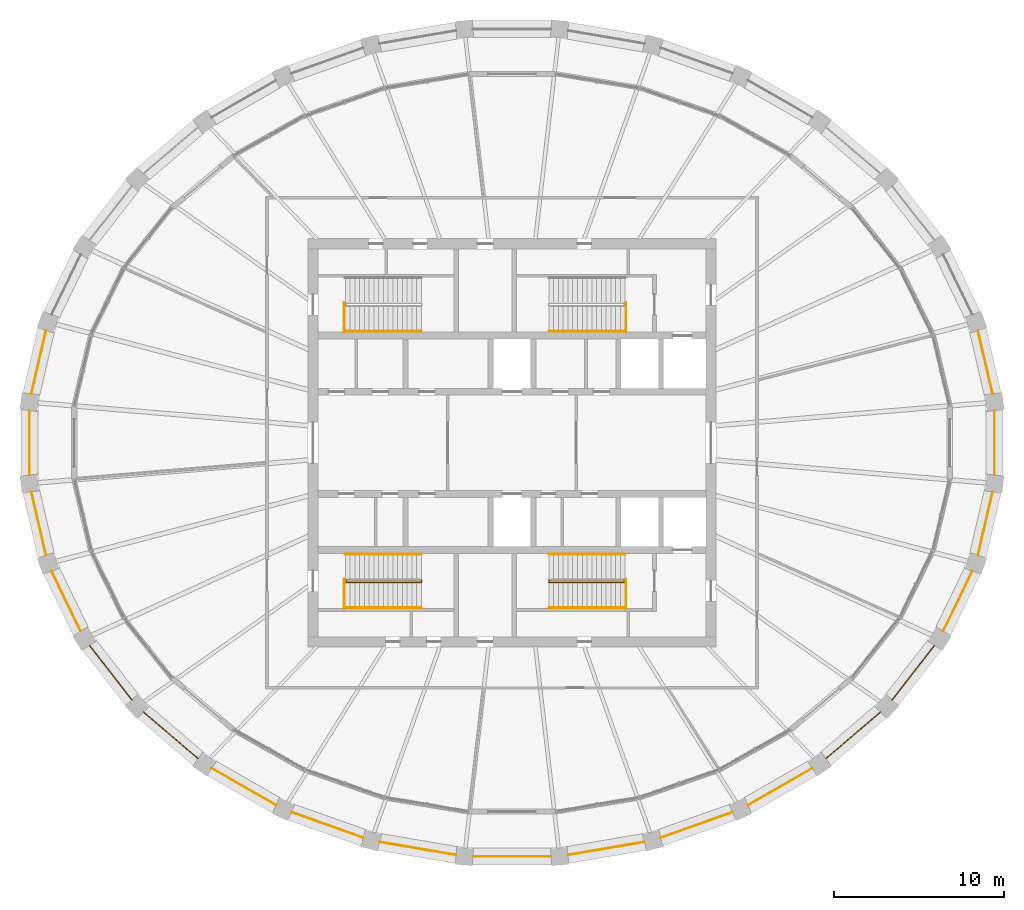
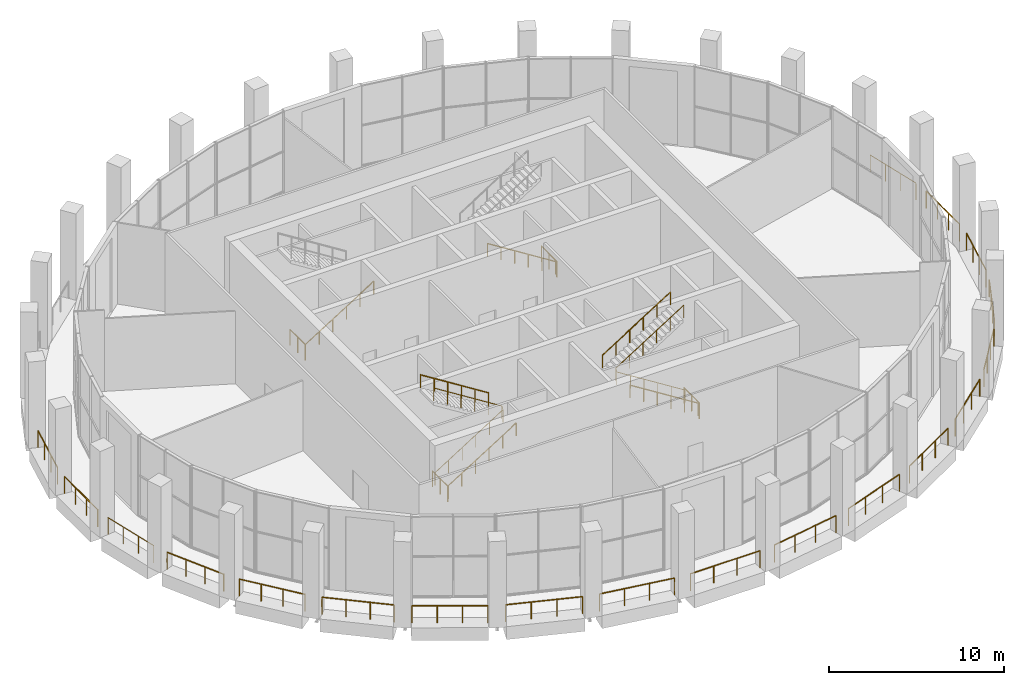
# One storey, part 14 of 15: 31 railings.
"""IFC4 building model written with IfcOpenShell, lengths in metres."""

from ifc_helpers import new_model, si_unit, direction, frame, origin, origin_2d, place, context, subcontext, project, spatial, circle, extrude, material, type_object, element, save


model = new_model("IFC4")

# Units and contexts
model_context = context("Model", 3, precision=1e-05, world=origin(), true_north=direction((0.0, 1.0)))
body_context = subcontext(model_context, "Body", "Model", "MODEL_VIEW")
ifc_project = project(units=[si_unit("LENGTHUNIT", "METRE"), si_unit("AREAUNIT", "SQUARE_METRE"), si_unit("VOLUMEUNIT", "CUBIC_METRE"), si_unit("PLANEANGLEUNIT", "RADIAN"), si_unit("MASSUNIT", "GRAM", prefix="KILO")], contexts=[model_context])

# Site, building, storey
site_placement = place(None, origin())
site = spatial("IfcSite", under=ifc_project, at=site_placement, CompositionType="ELEMENT")
building_placement = place(site_placement, origin())
building = spatial("IfcBuilding", under=site, at=building_placement, Name="Halqa Exchange Tower", CompositionType="ELEMENT")
storey_placement = place(building_placement, frame((0.0, 0.0, 343.300048828125)))
storey = spatial("IfcBuildingStorey", under=building, at=storey_placement, Name="L80", CompositionType="ELEMENT", Elevation=343.300048828125)

# Railings
ifc_material_1 = material(Name="Laminated glass and stainless steel", Category="steel")
railing_type_1 = type_object("IfcRailingType", Name="Public deck guard 1200 laminated glass", PredefinedType="GUARDRAIL", material=ifc_material_1)
railing_1_placement = place(storey_placement, frame((28.249755859375, 2.881591796875, 0.0)))
element("IfcRailing", 1, at=railing_1_placement, inside=storey, type_object=railing_type_1, Name="Public deck guard 1", PredefinedType="GUARDRAIL", context=body_context, shape_type="SweptSolid", body=[
    extrude(circle(Radius=0.02392578125, at=origin_2d()), frame((0.0, 0.0, 1.17578125), z_axis=(-0.226100478953, 0.97410398491, 0.0), x_axis=(-0.97410398491, -0.226100478953, 0.0)), (0.0, 0.0, 1.0), 3.8212890625),
    extrude(circle(Radius=0.02099609375, at=origin_2d()), origin(), (0.0, 0.0, 1.0), 1.15185546875),
    extrude(circle(Radius=0.02099609375, at=origin_2d()), frame((-0.2880859375, 1.24072265625, 0.0)), (0.0, 0.0, 1.0), 1.15185546875),
    extrude(circle(Radius=0.02099609375, at=origin_2d()), frame((-0.575927734375, 2.481689453125, 0.0)), (0.0, 0.0, 1.0), 1.15185546875),
    extrude(circle(Radius=0.02099609375, at=origin_2d()), frame((-0.864013671875, 3.722412109375, 0.0)), (0.0, 0.0, 1.0), 1.15185546875),
])
railing_2_placement = place(storey_placement, frame((-27.3857421875, 6.60400390625, 0.0)))
element("IfcRailing", 2, at=railing_2_placement, inside=storey, type_object=railing_type_1, Name="Public deck guard 15", PredefinedType="GUARDRAIL", context=body_context, shape_type="SweptSolid", body=[
    extrude(circle(Radius=0.02392578125, at=origin_2d()), frame((0.0, 0.0, 1.17578125), z_axis=(-0.226100478953, -0.97410398491, 0.0), x_axis=(0.97410398491, -0.226100478953, 0.0)), (0.0, 0.0, 1.0), 3.8212890625),
    extrude(circle(Radius=0.02099609375, at=origin_2d()), origin(), (0.0, 0.0, 1.0), 1.15185546875),
    extrude(circle(Radius=0.02099609375, at=origin_2d()), frame((-0.2880859375, -1.24072265625, 0.0)), (0.0, 0.0, 1.0), 1.15185546875),
    extrude(circle(Radius=0.02099609375, at=origin_2d()), frame((-0.575927734375, -2.481689453125, 0.0)), (0.0, 0.0, 1.0), 1.15185546875),
    extrude(circle(Radius=0.02099609375, at=origin_2d()), frame((-0.864013671875, -3.722412109375, 0.0)), (0.0, 0.0, 1.0), 1.15185546875),
])
railing_3_placement = place(storey_placement, frame((-28.36279296875, 1.894287109375, 0.0)))
element("IfcRailing", 3, at=railing_3_placement, inside=storey, type_object=railing_type_1, Name="Public deck guard 16", PredefinedType="GUARDRAIL", context=body_context, shape_type="SweptSolid", body=[
    extrude(circle(Radius=0.02392578125, at=origin_2d()), frame((0.0, 0.0, 1.17578125), z_axis=(0.0, -1.0, 0.0), x_axis=(1.0, 0.0, 0.0)), (0.0, 0.0, 1.0), 3.78857421875),
    extrude(circle(Radius=0.02099609375, at=origin_2d()), origin(), (0.0, 0.0, 1.0), 1.15185546875),
    extrude(circle(Radius=0.02099609375, at=origin_2d()), frame((0.0, -1.262939453125, 0.0)), (0.0, 0.0, 1.0), 1.15185546875),
    extrude(circle(Radius=0.02099609375, at=origin_2d()), frame((0.0, -2.525634765625, 0.0)), (0.0, 0.0, 1.0), 1.15185546875),
    extrude(circle(Radius=0.02099609375, at=origin_2d()), frame((0.0, -3.78857421875, 0.0)), (0.0, 0.0, 1.0), 1.15185546875),
])
railing_4_placement = place(storey_placement, frame((-28.249755859375, -2.881591796875, 0.0)))
element("IfcRailing", 4, at=railing_4_placement, inside=storey, type_object=railing_type_1, Name="Public deck guard 17", PredefinedType="GUARDRAIL", context=body_context, shape_type="SweptSolid", body=[
    extrude(circle(Radius=0.02392578125, at=origin_2d()), frame((0.0, 0.0, 1.17578125), z_axis=(0.226100478953, -0.97410398491, 0.0), x_axis=(0.97410398491, 0.226100478953, 0.0)), (0.0, 0.0, 1.0), 3.8212890625),
    extrude(circle(Radius=0.02099609375, at=origin_2d()), origin(), (0.0, 0.0, 1.0), 1.15185546875),
    extrude(circle(Radius=0.02099609375, at=origin_2d()), frame((0.2880859375, -1.24072265625, 0.0)), (0.0, 0.0, 1.0), 1.15185546875),
    extrude(circle(Radius=0.02099609375, at=origin_2d()), frame((0.575927734375, -2.481689453125, 0.0)), (0.0, 0.0, 1.0), 1.15185546875),
    extrude(circle(Radius=0.02099609375, at=origin_2d()), frame((0.864013671875, -3.722412109375, 0.0)), (0.0, 0.0, 1.0), 1.15185546875),
])
railing_5_placement = place(storey_placement, frame((-27.055419921875, -7.54150390625, 0.0)))
element("IfcRailing", 5, at=railing_5_placement, inside=storey, type_object=railing_type_1, Name="Public deck guard 18", PredefinedType="GUARDRAIL", context=body_context, shape_type="SweptSolid", body=[
    extrude(circle(Radius=0.02392578125, at=origin_2d()), frame((0.0, 0.0, 1.17578125), z_axis=(0.435146748862, -0.900359543158, 0.0), x_axis=(0.900359543158, 0.435146748862, 0.0)), (0.0, 0.0, 1.0), 3.913818359375),
    extrude(circle(Radius=0.02099609375, at=origin_2d()), origin(), (0.0, 0.0, 1.0), 1.15185546875),
    extrude(circle(Radius=0.02099609375, at=origin_2d()), frame((0.567626953125, -1.174560546875, 0.0)), (0.0, 0.0, 1.0), 1.15185546875),
    extrude(circle(Radius=0.02099609375, at=origin_2d()), frame((1.135498046875, -2.349365234375, 0.0)), (0.0, 0.0, 1.0), 1.15185546875),
    extrude(circle(Radius=0.02099609375, at=origin_2d()), frame((1.703125, -3.52392578125, 0.0)), (0.0, 0.0, 1.0), 1.15185546875),
])
railing_6_placement = place(storey_placement, frame((-24.827392578125, -11.909912109375, 0.0)))
element("IfcRailing", 6, at=railing_6_placement, inside=storey, type_object=railing_type_1, Name="Public deck guard 19", PredefinedType="GUARDRAIL", context=body_context, shape_type="SweptSolid", body=[
    extrude(circle(Radius=0.02392578125, at=origin_2d()), frame((0.0, 0.0, 1.17578125), z_axis=(0.614821078368, -0.788666622594, 0.0), x_axis=(0.788666622594, 0.614821078368, 0.0)), (0.0, 0.0, 1.0), 4.048828125),
    extrude(circle(Radius=0.02099609375, at=origin_2d()), origin(), (0.0, 0.0, 1.0), 1.15185546875),
    extrude(circle(Radius=0.02099609375, at=origin_2d()), frame((0.829833984375, -1.064453125, 0.0)), (0.0, 0.0, 1.0), 1.15185546875),
    extrude(circle(Radius=0.02099609375, at=origin_2d()), frame((1.659423828125, -2.128662109375, 0.0)), (0.0, 0.0, 1.0), 1.15185546875),
    extrude(circle(Radius=0.02099609375, at=origin_2d()), frame((2.4892578125, -3.193115234375, 0.0)), (0.0, 0.0, 1.0), 1.15185546875),
])
railing_7_placement = place(storey_placement, frame((-21.651123046875, -15.82275390625, 0.0)))
element("IfcRailing", 7, at=railing_7_placement, inside=storey, type_object=railing_type_1, Name="Public deck guard 20", PredefinedType="GUARDRAIL", context=body_context, shape_type="SweptSolid", body=[
    extrude(circle(Radius=0.02392578125, at=origin_2d()), frame((0.0, 0.0, 1.17578125), z_axis=(0.75927300229, -0.650772239723, 0.0), x_axis=(0.650772239723, 0.75927300229, 0.0)), (0.0, 0.0, 1.0), 4.203125),
    extrude(circle(Radius=0.02099609375, at=origin_2d()), origin(), (0.0, 0.0, 1.0), 1.15185546875),
    extrude(circle(Radius=0.02099609375, at=origin_2d()), frame((1.063720703125, -0.911865234375, 0.0)), (0.0, 0.0, 1.0), 1.15185546875),
    extrude(circle(Radius=0.02099609375, at=origin_2d()), frame((2.127685546875, -1.823486328125, 0.0)), (0.0, 0.0, 1.0), 1.15185546875),
    extrude(circle(Radius=0.02099609375, at=origin_2d()), frame((3.19140625, -2.7353515625, 0.0)), (0.0, 0.0, 1.0), 1.15185546875),
])
railing_8_placement = place(storey_placement, frame((-17.646240234375, -19.132080078125, 0.0)))
element("IfcRailing", 8, at=railing_8_placement, inside=storey, type_object=railing_type_1, Name="Public deck guard 21", PredefinedType="GUARDRAIL", context=body_context, shape_type="SweptSolid", body=[
    extrude(circle(Radius=0.02392578125, at=origin_2d()), frame((0.0, 0.0, 1.17578125), z_axis=(0.867752650497, -0.496996315434, 0.0), x_axis=(0.496996315434, 0.867752650497, 0.0)), (0.0, 0.0, 1.0), 4.353271484375),
    extrude(circle(Radius=0.02099609375, at=origin_2d()), origin(), (0.0, 0.0, 1.0), 1.15185546875),
    extrude(circle(Radius=0.02099609375, at=origin_2d()), frame((1.25927734375, -0.72119140625, 0.0)), (0.0, 0.0, 1.0), 1.15185546875),
    extrude(circle(Radius=0.02099609375, at=origin_2d()), frame((2.518310546875, -1.4423828125, 0.0)), (0.0, 0.0, 1.0), 1.15185546875),
    extrude(circle(Radius=0.02099609375, at=origin_2d()), frame((3.777587890625, -2.16357421875, 0.0)), (0.0, 0.0, 1.0), 1.15185546875),
])
railing_9_placement = place(storey_placement, frame((-12.963623046875, -21.71142578125, 0.0)))
element("IfcRailing", 9, at=railing_9_placement, inside=storey, type_object=railing_type_1, Name="Public deck guard 22", PredefinedType="GUARDRAIL", context=body_context, shape_type="SweptSolid", body=[
    extrude(circle(Radius=0.02392578125, at=origin_2d()), frame((0.0, 0.0, 1.17578125), z_axis=(0.942364531835, -0.334587939321, 0.0), x_axis=(0.334587939321, 0.942364531835, 0.0)), (0.0, 0.0, 1.0), 4.477294921875),
    extrude(circle(Radius=0.02099609375, at=origin_2d()), origin(), (0.0, 0.0, 1.0), 1.15185546875),
    extrude(circle(Radius=0.02099609375, at=origin_2d()), frame((1.406494140625, -0.499267578125, 0.0)), (0.0, 0.0, 1.0), 1.15185546875),
    extrude(circle(Radius=0.02099609375, at=origin_2d()), frame((2.812744140625, -0.998779296875, 0.0)), (0.0, 0.0, 1.0), 1.15185546875),
    extrude(circle(Radius=0.02099609375, at=origin_2d()), frame((4.21923828125, -1.498046875, 0.0)), (0.0, 0.0, 1.0), 1.15185546875),
])
railing_10_placement = place(storey_placement, frame((-7.7802734375, -23.460693359375, 0.0)))
element("IfcRailing", 10, at=railing_10_placement, inside=storey, type_object=railing_type_1, Name="Public deck guard 23", PredefinedType="GUARDRAIL", context=body_context, shape_type="SweptSolid", body=[
    extrude(circle(Radius=0.02392578125, at=origin_2d()), frame((0.0, 0.0, 1.17578125), z_axis=(0.985768911013, -0.168106079843, 0.0), x_axis=(0.168106079843, 0.985768911013, 0.0)), (0.0, 0.0, 1.0), 4.558837890625),
    extrude(circle(Radius=0.02099609375, at=origin_2d()), origin(), (0.0, 0.0, 1.0), 1.15185546875),
    extrude(circle(Radius=0.02099609375, at=origin_2d()), frame((1.498046875, -0.25537109375, 0.0)), (0.0, 0.0, 1.0), 1.15185546875),
    extrude(circle(Radius=0.02099609375, at=origin_2d()), frame((2.995849609375, -0.510986328125, 0.0)), (0.0, 0.0, 1.0), 1.15185546875),
    extrude(circle(Radius=0.02099609375, at=origin_2d()), frame((4.493896484375, -0.766357421875, 0.0)), (0.0, 0.0, 1.0), 1.15185546875),
])
railing_11_placement = place(storey_placement, frame((-2.29345703125, -24.31103515625, 0.0)))
element("IfcRailing", 11, at=railing_11_placement, inside=storey, type_object=railing_type_1, Name="Public deck guard 24", PredefinedType="GUARDRAIL", context=body_context, shape_type="SweptSolid", body=[
    extrude(circle(Radius=0.02392578125, at=origin_2d()), frame((0.0, 0.0, 1.17578125), z_axis=(1.0, 0.0, 0.0), x_axis=(0.0, 1.0, 0.0)), (0.0, 0.0, 1.0), 4.5869140625),
    extrude(circle(Radius=0.02099609375, at=origin_2d()), origin(), (0.0, 0.0, 1.0), 1.15185546875),
    extrude(circle(Radius=0.02099609375, at=origin_2d()), frame((1.529052734375, 0.0, 0.0)), (0.0, 0.0, 1.0), 1.15185546875),
    extrude(circle(Radius=0.02099609375, at=origin_2d()), frame((3.057861328125, 0.0, 0.0)), (0.0, 0.0, 1.0), 1.15185546875),
    extrude(circle(Radius=0.02099609375, at=origin_2d()), frame((4.5869140625, 0.0, 0.0)), (0.0, 0.0, 1.0), 1.15185546875),
])
railing_12_placement = place(storey_placement, frame((3.286376953125, -24.22705078125, 0.0)))
element("IfcRailing", 12, at=railing_12_placement, inside=storey, type_object=railing_type_1, Name="Public deck guard 25", PredefinedType="GUARDRAIL", context=body_context, shape_type="SweptSolid", body=[
    extrude(circle(Radius=0.02392578125, at=origin_2d()), frame((0.0, 0.0, 1.17578125), z_axis=(0.985768911013, 0.168106079843, 0.0), x_axis=(-0.168106079843, 0.985768911013, 0.0)), (0.0, 0.0, 1.0), 4.558837890625),
    extrude(circle(Radius=0.02099609375, at=origin_2d()), origin(), (0.0, 0.0, 1.0), 1.15185546875),
    extrude(circle(Radius=0.02099609375, at=origin_2d()), frame((1.498046875, 0.25537109375, 0.0)), (0.0, 0.0, 1.0), 1.15185546875),
    extrude(circle(Radius=0.02099609375, at=origin_2d()), frame((2.995849609375, 0.510986328125, 0.0)), (0.0, 0.0, 1.0), 1.15185546875),
    extrude(circle(Radius=0.02099609375, at=origin_2d()), frame((4.493896484375, 0.766357421875, 0.0)), (0.0, 0.0, 1.0), 1.15185546875),
])
railing_13_placement = place(storey_placement, frame((8.744384765625, -23.20947265625, 0.0)))
element("IfcRailing", 13, at=railing_13_placement, inside=storey, type_object=railing_type_1, Name="Public deck guard 26", PredefinedType="GUARDRAIL", context=body_context, shape_type="SweptSolid", body=[
    extrude(circle(Radius=0.02392578125, at=origin_2d()), frame((0.0, 0.0, 1.17578125), z_axis=(0.942364531835, 0.334587939321, 0.0), x_axis=(-0.334587939321, 0.942364531835, 0.0)), (0.0, 0.0, 1.0), 4.477294921875),
    extrude(circle(Radius=0.02099609375, at=origin_2d()), origin(), (0.0, 0.0, 1.0), 1.15185546875),
    extrude(circle(Radius=0.02099609375, at=origin_2d()), frame((1.406494140625, 0.499267578125, 0.0)), (0.0, 0.0, 1.0), 1.15185546875),
    extrude(circle(Radius=0.02099609375, at=origin_2d()), frame((2.812744140625, 0.998779296875, 0.0)), (0.0, 0.0, 1.0), 1.15185546875),
    extrude(circle(Radius=0.02099609375, at=origin_2d()), frame((4.21923828125, 1.498046875, 0.0)), (0.0, 0.0, 1.0), 1.15185546875),
])
railing_14_placement = place(storey_placement, frame((13.86865234375, -21.295654296875, 0.0)))
element("IfcRailing", 14, at=railing_14_placement, inside=storey, type_object=railing_type_1, Name="Public deck guard 27", PredefinedType="GUARDRAIL", context=body_context, shape_type="SweptSolid", body=[
    extrude(circle(Radius=0.02392578125, at=origin_2d()), frame((0.0, 0.0, 1.17578125), z_axis=(0.867752650497, 0.496996315434, 0.0), x_axis=(-0.496996315434, 0.867752650497, 0.0)), (0.0, 0.0, 1.0), 4.353271484375),
    extrude(circle(Radius=0.02099609375, at=origin_2d()), origin(), (0.0, 0.0, 1.0), 1.15185546875),
    extrude(circle(Radius=0.02099609375, at=origin_2d()), frame((1.25927734375, 0.72119140625, 0.0)), (0.0, 0.0, 1.0), 1.15185546875),
    extrude(circle(Radius=0.02099609375, at=origin_2d()), frame((2.518310546875, 1.4423828125, 0.0)), (0.0, 0.0, 1.0), 1.15185546875),
    extrude(circle(Radius=0.02099609375, at=origin_2d()), frame((3.777587890625, 2.16357421875, 0.0)), (0.0, 0.0, 1.0), 1.15185546875),
])
railing_15_placement = place(storey_placement, frame((18.459716796875, -18.55810546875, 0.0)))
element("IfcRailing", 15, at=railing_15_placement, inside=storey, type_object=railing_type_1, Name="Public deck guard 28", PredefinedType="GUARDRAIL", context=body_context, shape_type="SweptSolid", body=[
    extrude(circle(Radius=0.02392578125, at=origin_2d()), frame((0.0, 0.0, 1.17578125), z_axis=(0.75927300229, 0.650772239723, 0.0), x_axis=(-0.650772239723, 0.75927300229, 0.0)), (0.0, 0.0, 1.0), 4.203125),
    extrude(circle(Radius=0.02099609375, at=origin_2d()), origin(), (0.0, 0.0, 1.0), 1.15185546875),
    extrude(circle(Radius=0.02099609375, at=origin_2d()), frame((1.063720703125, 0.911865234375, 0.0)), (0.0, 0.0, 1.0), 1.15185546875),
    extrude(circle(Radius=0.02099609375, at=origin_2d()), frame((2.127685546875, 1.823486328125, 0.0)), (0.0, 0.0, 1.0), 1.15185546875),
    extrude(circle(Radius=0.02099609375, at=origin_2d()), frame((3.19140625, 2.7353515625, 0.0)), (0.0, 0.0, 1.0), 1.15185546875),
])
railing_16_placement = place(storey_placement, frame((22.338134765625, -15.10302734375, 0.0)))
element("IfcRailing", 16, at=railing_16_placement, inside=storey, type_object=railing_type_1, Name="Public deck guard 29", PredefinedType="GUARDRAIL", context=body_context, shape_type="SweptSolid", body=[
    extrude(circle(Radius=0.02392578125, at=origin_2d()), frame((0.0, 0.0, 1.17578125), z_axis=(0.614821078368, 0.788666622594, 0.0), x_axis=(-0.788666622594, 0.614821078368, 0.0)), (0.0, 0.0, 1.0), 4.048828125),
    extrude(circle(Radius=0.02099609375, at=origin_2d()), origin(), (0.0, 0.0, 1.0), 1.15185546875),
    extrude(circle(Radius=0.02099609375, at=origin_2d()), frame((0.829833984375, 1.064453125, 0.0)), (0.0, 0.0, 1.0), 1.15185546875),
    extrude(circle(Radius=0.02099609375, at=origin_2d()), frame((1.659423828125, 2.128662109375, 0.0)), (0.0, 0.0, 1.0), 1.15185546875),
    extrude(circle(Radius=0.02099609375, at=origin_2d()), frame((2.4892578125, 3.193115234375, 0.0)), (0.0, 0.0, 1.0), 1.15185546875),
])
railing_17_placement = place(storey_placement, frame((25.352294921875, -11.0654296875, 0.0)))
element("IfcRailing", 17, at=railing_17_placement, inside=storey, type_object=railing_type_1, Name="Public deck guard 30", PredefinedType="GUARDRAIL", context=body_context, shape_type="SweptSolid", body=[
    extrude(circle(Radius=0.02392578125, at=origin_2d()), frame((0.0, 0.0, 1.17578125), z_axis=(0.435146748862, 0.900359543158, 0.0), x_axis=(-0.900359543158, 0.435146748862, 0.0)), (0.0, 0.0, 1.0), 3.913818359375),
    extrude(circle(Radius=0.02099609375, at=origin_2d()), origin(), (0.0, 0.0, 1.0), 1.15185546875),
    extrude(circle(Radius=0.02099609375, at=origin_2d()), frame((0.567626953125, 1.174560546875, 0.0)), (0.0, 0.0, 1.0), 1.15185546875),
    extrude(circle(Radius=0.02099609375, at=origin_2d()), frame((1.135498046875, 2.349365234375, 0.0)), (0.0, 0.0, 1.0), 1.15185546875),
    extrude(circle(Radius=0.02099609375, at=origin_2d()), frame((1.703125, 3.52392578125, 0.0)), (0.0, 0.0, 1.0), 1.15185546875),
])
railing_18_placement = place(storey_placement, frame((27.3857421875, -6.60400390625, 0.0)))
element("IfcRailing", 18, at=railing_18_placement, inside=storey, type_object=railing_type_1, Name="Public deck guard 31", PredefinedType="GUARDRAIL", context=body_context, shape_type="SweptSolid", body=[
    extrude(circle(Radius=0.02392578125, at=origin_2d()), frame((0.0, 0.0, 1.17578125), z_axis=(0.226100478953, 0.97410398491, 0.0), x_axis=(-0.97410398491, 0.226100478953, 0.0)), (0.0, 0.0, 1.0), 3.8212890625),
    extrude(circle(Radius=0.02099609375, at=origin_2d()), origin(), (0.0, 0.0, 1.0), 1.15185546875),
    extrude(circle(Radius=0.02099609375, at=origin_2d()), frame((0.2880859375, 1.24072265625, 0.0)), (0.0, 0.0, 1.0), 1.15185546875),
    extrude(circle(Radius=0.02099609375, at=origin_2d()), frame((0.575927734375, 2.481689453125, 0.0)), (0.0, 0.0, 1.0), 1.15185546875),
    extrude(circle(Radius=0.02099609375, at=origin_2d()), frame((0.864013671875, 3.722412109375, 0.0)), (0.0, 0.0, 1.0), 1.15185546875),
])
railing_19_placement = place(storey_placement, frame((28.36279296875, -1.894287109375, 0.0)))
element("IfcRailing", 19, at=railing_19_placement, inside=storey, type_object=railing_type_1, Name="Public deck guard 32", PredefinedType="GUARDRAIL", context=body_context, shape_type="SweptSolid", body=[
    extrude(circle(Radius=0.02392578125, at=origin_2d()), frame((0.0, 0.0, 1.17578125), z_axis=(0.0, 1.0, 0.0), x_axis=(-1.0, 0.0, 0.0)), (0.0, 0.0, 1.0), 3.78857421875),
    extrude(circle(Radius=0.02099609375, at=origin_2d()), origin(), (0.0, 0.0, 1.0), 1.15185546875),
    extrude(circle(Radius=0.02099609375, at=origin_2d()), frame((0.0, 1.262939453125, 0.0)), (0.0, 0.0, 1.0), 1.15185546875),
    extrude(circle(Radius=0.02099609375, at=origin_2d()), frame((0.0, 2.525634765625, 0.0)), (0.0, 0.0, 1.0), 1.15185546875),
    extrude(circle(Radius=0.02099609375, at=origin_2d()), frame((0.0, 3.78857421875, 0.0)), (0.0, 0.0, 1.0), 1.15185546875),
])
ifc_material_2 = material(Name="Stainless steel", Category="steel")
railing_type_2 = type_object("IfcRailingType", Name="Stair handrail 900", PredefinedType="HANDRAIL", material=ifc_material_2)
railing_20_placement = place(storey_placement, frame((-9.800048828125, 6.550048828125, 0.176513671875)))
element("IfcRailing", 20, at=railing_20_placement, inside=storey, type_object=railing_type_2, Name="Handrail ST1.2", PredefinedType="HANDRAIL", context=body_context, shape_type="SweptSolid", body=[
    extrude(circle(Radius=0.02392578125, at=origin_2d()), frame((0.0, 0.0, 0.8759765625), z_axis=(0.845997938375, 0.0, 0.533186166611), x_axis=(0.0, 1.0, 0.0)), (0.0, 0.0, 1.0), 5.29541015625),
    extrude(circle(Radius=0.02099609375, at=origin_2d()), origin(), (0.0, 0.0, 1.0), 0.851806640625),
    extrude(circle(Radius=0.02099609375, at=origin_2d()), frame((0.89599609375, 0.0, 0.564697265625)), (0.0, 0.0, 1.0), 0.851806640625),
    extrude(circle(Radius=0.02099609375, at=origin_2d()), frame((1.7919921875, 0.0, 1.12939453125)), (0.0, 0.0, 1.0), 0.851806640625),
    extrude(circle(Radius=0.02099609375, at=origin_2d()), frame((2.68798828125, 0.0, 1.694091796875)), (0.0, 0.0, 1.0), 0.851806640625),
    extrude(circle(Radius=0.02099609375, at=origin_2d()), frame((3.583984375, 0.0, 2.2587890625)), (0.0, 0.0, 1.0), 0.851806640625),
    extrude(circle(Radius=0.02099609375, at=origin_2d()), frame((4.47998046875, 0.0, 2.823486328125)), (0.0, 0.0, 1.0), 0.851806640625),
])
railing_21_placement = place(storey_placement, frame((6.64990234375, 6.550048828125, 0.176513671875)))
element("IfcRailing", 21, at=railing_21_placement, inside=storey, type_object=railing_type_2, Name="Handrail ST2.2", PredefinedType="HANDRAIL", context=body_context, shape_type="SweptSolid", body=[
    extrude(circle(Radius=0.02392578125, at=origin_2d()), frame((0.0, 0.0, 0.8759765625), z_axis=(-0.845997938375, 0.0, 0.533186166611), x_axis=(0.0, -1.0, 0.0)), (0.0, 0.0, 1.0), 5.29541015625),
    extrude(circle(Radius=0.02099609375, at=origin_2d()), origin(), (0.0, 0.0, 1.0), 0.851806640625),
    extrude(circle(Radius=0.02099609375, at=origin_2d()), frame((-0.89599609375, 0.0, 0.564697265625)), (0.0, 0.0, 1.0), 0.851806640625),
    extrude(circle(Radius=0.02099609375, at=origin_2d()), frame((-1.7919921875, 0.0, 1.12939453125)), (0.0, 0.0, 1.0), 0.851806640625),
    extrude(circle(Radius=0.02099609375, at=origin_2d()), frame((-2.68798828125, 0.0, 1.694091796875)), (0.0, 0.0, 1.0), 0.851806640625),
    extrude(circle(Radius=0.02099609375, at=origin_2d()), frame((-3.583984375, 0.0, 2.2587890625)), (0.0, 0.0, 1.0), 0.851806640625),
    extrude(circle(Radius=0.02099609375, at=origin_2d()), frame((-4.47998046875, 0.0, 2.823486328125)), (0.0, 0.0, 1.0), 0.851806640625),
])
railing_22_placement = place(storey_placement, frame((-9.800048828125, -8.18994140625, 0.176513671875)))
element("IfcRailing", 22, at=railing_22_placement, inside=storey, type_object=railing_type_2, Name="Handrail ST3.1", PredefinedType="HANDRAIL", context=body_context, shape_type="SweptSolid", body=[
    extrude(circle(Radius=0.02392578125, at=origin_2d()), frame((0.0, 0.0, 0.8759765625), z_axis=(0.845997938375, 0.0, 0.533186166611), x_axis=(0.0, 1.0, 0.0)), (0.0, 0.0, 1.0), 5.29541015625),
    extrude(circle(Radius=0.02392578125, at=origin_2d()), frame((4.47998046875, 0.0, 3.69921875), z_axis=(0.0, 0.592666891562, 0.805447674059), x_axis=(-1.0, 0.0, 0.0)), (0.0, 0.0, 1.0), 0.21923828125),
    extrude(circle(Radius=0.02392578125, at=origin_2d()), frame((4.47998046875, 0.1298828125, 3.8759765625), z_axis=(-0.845997938375, 0.0, 0.533186166611), x_axis=(0.0, -1.0, 0.0)), (0.0, 0.0, 1.0), 5.29541015625),
    extrude(circle(Radius=0.02099609375, at=origin_2d()), origin(), (0.0, 0.0, 1.0), 0.851806640625),
    extrude(circle(Radius=0.02099609375, at=origin_2d()), frame((0.89599609375, 0.0, 0.564697265625)), (0.0, 0.0, 1.0), 0.851806640625),
    extrude(circle(Radius=0.02099609375, at=origin_2d()), frame((1.7919921875, 0.0, 1.12939453125)), (0.0, 0.0, 1.0), 0.851806640625),
    extrude(circle(Radius=0.02099609375, at=origin_2d()), frame((2.68798828125, 0.0, 1.694091796875)), (0.0, 0.0, 1.0), 0.851806640625),
    extrude(circle(Radius=0.02099609375, at=origin_2d()), frame((3.583984375, 0.0, 2.2587890625)), (0.0, 0.0, 1.0), 0.851806640625),
    extrude(circle(Radius=0.02099609375, at=origin_2d()), frame((4.47998046875, 0.0, 2.823486328125)), (0.0, 0.0, 1.0), 0.851806640625),
    extrude(circle(Radius=0.02099609375, at=origin_2d()), frame((4.47998046875, 0.1298828125, 3.0)), (0.0, 0.0, 1.0), 0.851806640625),
    extrude(circle(Radius=0.02099609375, at=origin_2d()), frame((3.583984375, 0.1298828125, 3.564697265625)), (0.0, 0.0, 1.0), 0.851806640625),
    extrude(circle(Radius=0.02099609375, at=origin_2d()), frame((2.68798828125, 0.1298828125, 4.12939453125)), (0.0, 0.0, 1.0), 0.851806640625),
    extrude(circle(Radius=0.02099609375, at=origin_2d()), frame((1.7919921875, 0.1298828125, 4.694091796875)), (0.0, 0.0, 1.0), 0.851806640625),
    extrude(circle(Radius=0.02099609375, at=origin_2d()), frame((0.89599609375, 0.1298828125, 5.2587890625)), (0.0, 0.0, 1.0), 0.851806640625),
    extrude(circle(Radius=0.02099609375, at=origin_2d()), frame((0.0, 0.1298828125, 5.823486328125)), (0.0, 0.0, 1.0), 0.851806640625),
])
railing_23_placement = place(storey_placement, frame((-9.800048828125, -9.699951171875, 0.176513671875)))
element("IfcRailing", 23, at=railing_23_placement, inside=storey, type_object=railing_type_2, Name="Handrail ST3.2", PredefinedType="HANDRAIL", context=body_context, shape_type="SweptSolid", body=[
    extrude(circle(Radius=0.02392578125, at=origin_2d()), frame((0.0, 0.0, 0.8759765625), z_axis=(0.845997938375, 0.0, 0.533186166611), x_axis=(0.0, 1.0, 0.0)), (0.0, 0.0, 1.0), 5.29541015625),
    extrude(circle(Radius=0.02099609375, at=origin_2d()), origin(), (0.0, 0.0, 1.0), 0.851806640625),
    extrude(circle(Radius=0.02099609375, at=origin_2d()), frame((0.89599609375, 0.0, 0.564697265625)), (0.0, 0.0, 1.0), 0.851806640625),
    extrude(circle(Radius=0.02099609375, at=origin_2d()), frame((1.7919921875, 0.0, 1.12939453125)), (0.0, 0.0, 1.0), 0.851806640625),
    extrude(circle(Radius=0.02099609375, at=origin_2d()), frame((2.68798828125, 0.0, 1.694091796875)), (0.0, 0.0, 1.0), 0.851806640625),
    extrude(circle(Radius=0.02099609375, at=origin_2d()), frame((3.583984375, 0.0, 2.2587890625)), (0.0, 0.0, 1.0), 0.851806640625),
    extrude(circle(Radius=0.02099609375, at=origin_2d()), frame((4.47998046875, 0.0, 2.823486328125)), (0.0, 0.0, 1.0), 0.851806640625),
])
railing_24_placement = place(storey_placement, frame((-5.320068359375, -6.550048828125, 3.176513671875)))
element("IfcRailing", 24, at=railing_24_placement, inside=storey, type_object=railing_type_2, Name="Handrail ST3.3", PredefinedType="HANDRAIL", context=body_context, shape_type="SweptSolid", body=[
    extrude(circle(Radius=0.02392578125, at=origin_2d()), frame((0.0, 0.0, 0.8759765625), z_axis=(-0.845997938375, 0.0, 0.533186166611), x_axis=(0.0, -1.0, 0.0)), (0.0, 0.0, 1.0), 5.29541015625),
    extrude(circle(Radius=0.02099609375, at=origin_2d()), origin(), (0.0, 0.0, 1.0), 0.851806640625),
    extrude(circle(Radius=0.02099609375, at=origin_2d()), frame((-0.89599609375, 0.0, 0.564697265625)), (0.0, 0.0, 1.0), 0.851806640625),
    extrude(circle(Radius=0.02099609375, at=origin_2d()), frame((-1.7919921875, 0.0, 1.12939453125)), (0.0, 0.0, 1.0), 0.851806640625),
    extrude(circle(Radius=0.02099609375, at=origin_2d()), frame((-2.68798828125, 0.0, 1.694091796875)), (0.0, 0.0, 1.0), 0.851806640625),
    extrude(circle(Radius=0.02099609375, at=origin_2d()), frame((-3.583984375, 0.0, 2.2587890625)), (0.0, 0.0, 1.0), 0.851806640625),
    extrude(circle(Radius=0.02099609375, at=origin_2d()), frame((-4.47998046875, 0.0, 2.823486328125)), (0.0, 0.0, 1.0), 0.851806640625),
])
railing_25_placement = place(storey_placement, frame((6.64990234375, -8.18994140625, 0.176513671875)))
element("IfcRailing", 25, at=railing_25_placement, inside=storey, type_object=railing_type_2, Name="Handrail ST4.1", PredefinedType="HANDRAIL", context=body_context, shape_type="SweptSolid", body=[
    extrude(circle(Radius=0.02392578125, at=origin_2d()), frame((0.0, 0.0, 0.8759765625), z_axis=(-0.845997938375, 0.0, 0.533186166611), x_axis=(0.0, -1.0, 0.0)), (0.0, 0.0, 1.0), 5.29541015625),
    extrude(circle(Radius=0.02392578125, at=origin_2d()), frame((-4.47998046875, 0.0, 3.69921875), z_axis=(0.0, 0.592666891562, 0.805447674059), x_axis=(-1.0, 0.0, 0.0)), (0.0, 0.0, 1.0), 0.21923828125),
    extrude(circle(Radius=0.02392578125, at=origin_2d()), frame((-4.47998046875, 0.1298828125, 3.8759765625), z_axis=(0.845997938375, 0.0, 0.533186166611), x_axis=(0.0, 1.0, 0.0)), (0.0, 0.0, 1.0), 5.29541015625),
    extrude(circle(Radius=0.02099609375, at=origin_2d()), origin(), (0.0, 0.0, 1.0), 0.851806640625),
    extrude(circle(Radius=0.02099609375, at=origin_2d()), frame((-0.89599609375, 0.0, 0.564697265625)), (0.0, 0.0, 1.0), 0.851806640625),
    extrude(circle(Radius=0.02099609375, at=origin_2d()), frame((-1.7919921875, 0.0, 1.12939453125)), (0.0, 0.0, 1.0), 0.851806640625),
    extrude(circle(Radius=0.02099609375, at=origin_2d()), frame((-2.68798828125, 0.0, 1.694091796875)), (0.0, 0.0, 1.0), 0.851806640625),
    extrude(circle(Radius=0.02099609375, at=origin_2d()), frame((-3.583984375, 0.0, 2.2587890625)), (0.0, 0.0, 1.0), 0.851806640625),
    extrude(circle(Radius=0.02099609375, at=origin_2d()), frame((-4.47998046875, 0.0, 2.823486328125)), (0.0, 0.0, 1.0), 0.851806640625),
    extrude(circle(Radius=0.02099609375, at=origin_2d()), frame((-4.47998046875, 0.1298828125, 3.0)), (0.0, 0.0, 1.0), 0.851806640625),
    extrude(circle(Radius=0.02099609375, at=origin_2d()), frame((-3.583984375, 0.1298828125, 3.564697265625)), (0.0, 0.0, 1.0), 0.851806640625),
    extrude(circle(Radius=0.02099609375, at=origin_2d()), frame((-2.68798828125, 0.1298828125, 4.12939453125)), (0.0, 0.0, 1.0), 0.851806640625),
    extrude(circle(Radius=0.02099609375, at=origin_2d()), frame((-1.7919921875, 0.1298828125, 4.694091796875)), (0.0, 0.0, 1.0), 0.851806640625),
    extrude(circle(Radius=0.02099609375, at=origin_2d()), frame((-0.89599609375, 0.1298828125, 5.2587890625)), (0.0, 0.0, 1.0), 0.851806640625),
    extrude(circle(Radius=0.02099609375, at=origin_2d()), frame((0.0, 0.1298828125, 5.823486328125)), (0.0, 0.0, 1.0), 0.851806640625),
])
railing_26_placement = place(storey_placement, frame((6.64990234375, -9.699951171875, 0.176513671875)))
element("IfcRailing", 26, at=railing_26_placement, inside=storey, type_object=railing_type_2, Name="Handrail ST4.2", PredefinedType="HANDRAIL", context=body_context, shape_type="SweptSolid", body=[
    extrude(circle(Radius=0.02392578125, at=origin_2d()), frame((0.0, 0.0, 0.8759765625), z_axis=(-0.845997938375, 0.0, 0.533186166611), x_axis=(0.0, -1.0, 0.0)), (0.0, 0.0, 1.0), 5.29541015625),
    extrude(circle(Radius=0.02099609375, at=origin_2d()), origin(), (0.0, 0.0, 1.0), 0.851806640625),
    extrude(circle(Radius=0.02099609375, at=origin_2d()), frame((-0.89599609375, 0.0, 0.564697265625)), (0.0, 0.0, 1.0), 0.851806640625),
    extrude(circle(Radius=0.02099609375, at=origin_2d()), frame((-1.7919921875, 0.0, 1.12939453125)), (0.0, 0.0, 1.0), 0.851806640625),
    extrude(circle(Radius=0.02099609375, at=origin_2d()), frame((-2.68798828125, 0.0, 1.694091796875)), (0.0, 0.0, 1.0), 0.851806640625),
    extrude(circle(Radius=0.02099609375, at=origin_2d()), frame((-3.583984375, 0.0, 2.2587890625)), (0.0, 0.0, 1.0), 0.851806640625),
    extrude(circle(Radius=0.02099609375, at=origin_2d()), frame((-4.47998046875, 0.0, 2.823486328125)), (0.0, 0.0, 1.0), 0.851806640625),
])
railing_27_placement = place(storey_placement, frame((2.169921875, -6.550048828125, 3.176513671875)))
element("IfcRailing", 27, at=railing_27_placement, inside=storey, type_object=railing_type_2, Name="Handrail ST4.3", PredefinedType="HANDRAIL", context=body_context, shape_type="SweptSolid", body=[
    extrude(circle(Radius=0.02392578125, at=origin_2d()), frame((0.0, 0.0, 0.8759765625), z_axis=(0.845997938375, 0.0, 0.533186166611), x_axis=(0.0, 1.0, 0.0)), (0.0, 0.0, 1.0), 5.29541015625),
    extrude(circle(Radius=0.02099609375, at=origin_2d()), origin(), (0.0, 0.0, 1.0), 0.851806640625),
    extrude(circle(Radius=0.02099609375, at=origin_2d()), frame((0.89599609375, 0.0, 0.564697265625)), (0.0, 0.0, 1.0), 0.851806640625),
    extrude(circle(Radius=0.02099609375, at=origin_2d()), frame((1.7919921875, 0.0, 1.12939453125)), (0.0, 0.0, 1.0), 0.851806640625),
    extrude(circle(Radius=0.02099609375, at=origin_2d()), frame((2.68798828125, 0.0, 1.694091796875)), (0.0, 0.0, 1.0), 0.851806640625),
    extrude(circle(Radius=0.02099609375, at=origin_2d()), frame((3.583984375, 0.0, 2.2587890625)), (0.0, 0.0, 1.0), 0.851806640625),
    extrude(circle(Radius=0.02099609375, at=origin_2d()), frame((4.47998046875, 0.0, 2.823486328125)), (0.0, 0.0, 1.0), 0.851806640625),
])
railing_type_3 = type_object("IfcRailingType", Name="Stair well guard 1100", PredefinedType="GUARDRAIL", material=ifc_material_2)
for number, where, name in (
    (28, (-9.85009765625, 6.5, 0.0), "Guard ST1 well"),
    (29, (6.699951171875, 6.5, 0.0), "Guard ST2 well"),
    (30, (-9.85009765625, -9.75, 0.0), "Guard ST3 well"),
    (31, (6.699951171875, -9.75, 0.0), "Guard ST4 well"),
):
    element("IfcRailing", number, at=place(storey_placement, frame(where)), inside=storey, type_object=railing_type_3, Name=name, PredefinedType="GUARDRAIL", context=body_context, shape_type="SweptSolid", body=[
        extrude(circle(Radius=0.02392578125, at=origin_2d()), frame((0.0, 0.0, 1.076171875), z_axis=(0.0, 1.0, 0.0), x_axis=(-1.0, 0.0, 0.0)), (0.0, 0.0, 1.0), 1.75),
        extrude(circle(Radius=0.02099609375, at=origin_2d()), origin(), (0.0, 0.0, 1.0), 1.052001953125),
        extrude(circle(Radius=0.02099609375, at=origin_2d()), frame((0.0, 0.875, 0.0)), (0.0, 0.0, 1.0), 1.052001953125),
        extrude(circle(Radius=0.02099609375, at=origin_2d()), frame((0.0, 1.75, 0.0)), (0.0, 0.0, 1.0), 1.052001953125),
    ])

save(model, "model.ifc")
